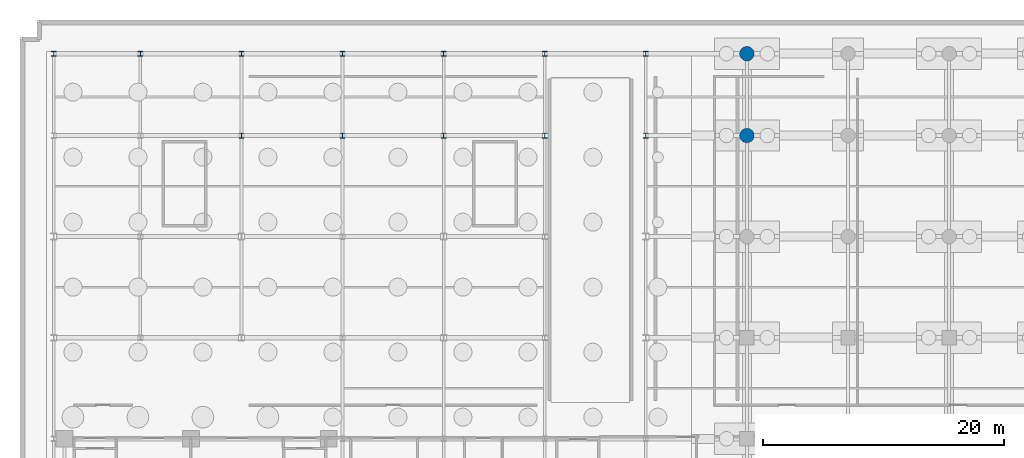
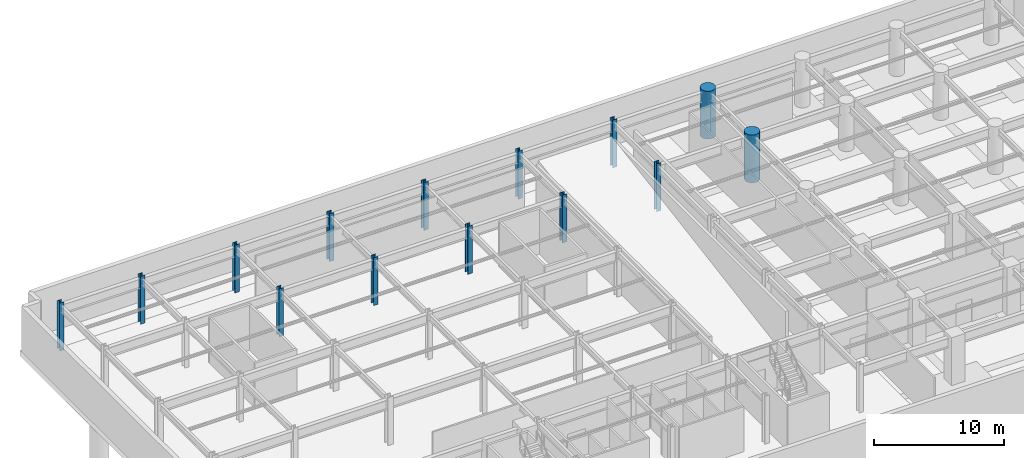
# One storey, part 4 of 14: 14 columns.
"""IFC4 building model written with IfcOpenShell, lengths in metres."""

from ifc_helpers import new_model, si_unit, direction, frame, origin, origin_2d, place, context, subcontext, project, spatial, circle, i_section, extrude, material, material_profile, profile_set, type_object, element, save


model = new_model("IFC4")

# Units and contexts
model_context = context("Model", 3, precision=1e-05, world=origin(), true_north=direction((0.0, 1.0)))
body_context = subcontext(model_context, "Body", "Model", "MODEL_VIEW")
ifc_project = project(units=[si_unit("LENGTHUNIT", "METRE"), si_unit("AREAUNIT", "SQUARE_METRE"), si_unit("VOLUMEUNIT", "CUBIC_METRE"), si_unit("PLANEANGLEUNIT", "RADIAN"), si_unit("MASSUNIT", "GRAM", prefix="KILO")], contexts=[model_context])

# Site, building, storey
site_placement = place(None, origin())
site = spatial("IfcSite", under=ifc_project, at=site_placement, CompositionType="ELEMENT")
building_placement = place(site_placement, origin())
building = spatial("IfcBuilding", under=site, at=building_placement, Name="Varnakote Quay Hospital", CompositionType="ELEMENT")
storey_placement = place(building_placement, frame((0.0, 0.0, -9.0)))
storey = spatial("IfcBuildingStorey", under=building, at=storey_placement, Name="B02", CompositionType="ELEMENT", Elevation=-9.0)

# Columns
ifc_material_1 = material(Name="Concrete N80 (f'c 80 MPa)", Category="concrete")
ifc_material_profile_1 = material_profile(ifc_material_1, circle(Radius=0.60009765625, at=origin_2d()), Name="RC-COL-D1200")
ifc_profile_set_1 = profile_set([ifc_material_profile_1], Name="Concrete N80 (f'c 80 MPa)")
column_type_1 = type_object("IfcColumnType", Name="COL-RC-D1200", PredefinedType="COLUMN", material=ifc_profile_set_1)
for number, where, z_axis, x_axis, name in (
    (1, (58.800048828125, 37.199951171875, 0.0), (0.0, 0.0, 1.0), (1.0, 0.0, 0.0), "B02 Structural Column C-59-37"),
    (2, (58.800048828125, 44.0, 0.0), (0.0, 0.0, 1.0), (1.0, 0.0, 0.0), "B02 Structural Column C-59-44"),
):
    element("IfcColumn", number, at=place(storey_placement, frame(where, z_axis=z_axis, x_axis=x_axis)), inside=storey, type_object=column_type_1, Name=name, PredefinedType="COLUMN", context=body_context, shape_type="SweptSolid", body=[
        extrude(circle(Radius=0.60009765625, at=origin_2d()), origin(), (0.0, 0.0, 1.0), 4.5),
    ])
ifc_material_2 = material(Name="Structural steel AS/NZS 3678 Grade 350 (fy 340 MPa)", Category="steel")
ifc_material_profile_2 = material_profile(ifc_material_2, i_section(OverallWidth=0.39990234375, OverallDepth=0.419921875, WebThickness=0.02490234375, FlangeThickness=0.0400390625, at=origin_2d()), Name="400WC328")
ifc_profile_set_2 = profile_set([ifc_material_profile_2], Name="Structural steel AS/NZS 3678 Grade 350 (fy 340 MPa)")
column_type_2 = type_object("IfcColumnType", Name="COL-STL-400WC328", PredefinedType="COLUMN", material=ifc_profile_set_2)
for number, where, z_axis, x_axis, name in (
    (3, (16.800048828125, 37.199951171875, 0.0), (0.0, 0.0, 1.0), (1.0, 0.0, 0.0), "B02 Structural Column C-17-37"),
    (4, (25.199951171875, 37.199951171875, 0.0), (0.0, 0.0, 1.0), (1.0, 0.0, 0.0), "B02 Structural Column C-25-37"),
    (5, (33.60009765625, 37.199951171875, 0.0), (0.0, 0.0, 1.0), (1.0, 0.0, 0.0), "B02 Structural Column C-34-37"),
    (6, (42.0, 37.199951171875, 0.0), (0.0, 0.0, 1.0), (1.0, 0.0, 0.0), "B02 Structural Column C-42-37"),
    (7, (50.39990234375, 37.199951171875, 0.0), (0.0, 0.0, 1.0), (1.0, 0.0, 0.0), "B02 Structural Column C-50-37"),
    (8, (1.199951171875, 44.0, 0.0), (0.0, 0.0, 1.0), (1.0, 0.0, 0.0), "B02 Structural Column C-1-44"),
    (9, (8.39990234375, 44.0, 0.0), (0.0, 0.0, 1.0), (1.0, 0.0, 0.0), "B02 Structural Column C-8-44"),
    (10, (16.800048828125, 44.0, 0.0), (0.0, 0.0, 1.0), (1.0, 0.0, 0.0), "B02 Structural Column C-17-44"),
    (11, (25.199951171875, 44.0, 0.0), (0.0, 0.0, 1.0), (1.0, 0.0, 0.0), "B02 Structural Column C-25-44"),
    (12, (33.60009765625, 44.0, 0.0), (0.0, 0.0, 1.0), (1.0, 0.0, 0.0), "B02 Structural Column C-34-44"),
    (13, (42.0, 44.0, 0.0), (0.0, 0.0, 1.0), (1.0, 0.0, 0.0), "B02 Structural Column C-42-44"),
    (14, (50.39990234375, 44.0, 0.0), (0.0, 0.0, 1.0), (1.0, 0.0, 0.0), "B02 Structural Column C-50-44"),
):
    element("IfcColumn", number, at=place(storey_placement, frame(where, z_axis=z_axis, x_axis=x_axis)), inside=storey, type_object=column_type_2, Name=name, PredefinedType="COLUMN", context=body_context, shape_type="SweptSolid", body=[
        extrude(i_section(OverallWidth=0.39990234375, OverallDepth=0.419921875, WebThickness=0.02490234375, FlangeThickness=0.0400390625, at=origin_2d()), origin(), (0.0, 0.0, 1.0), 4.5),
    ])

save(model, "model.ifc")
